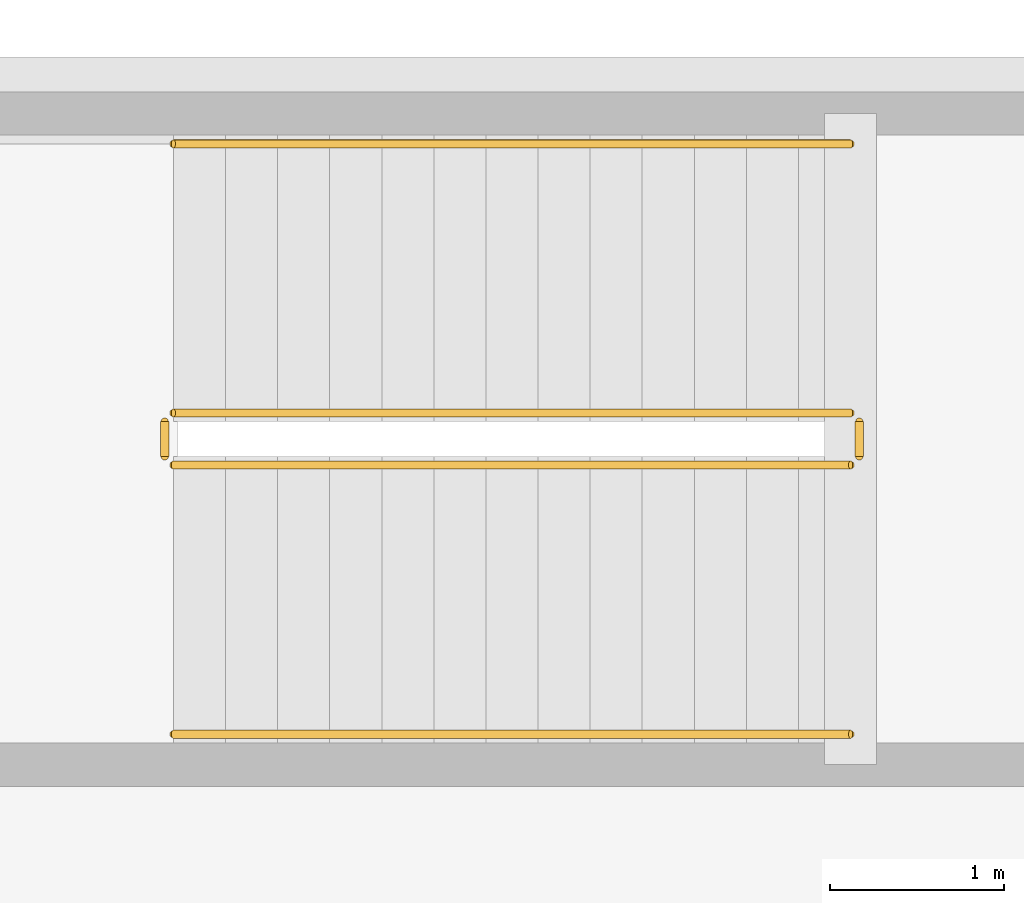
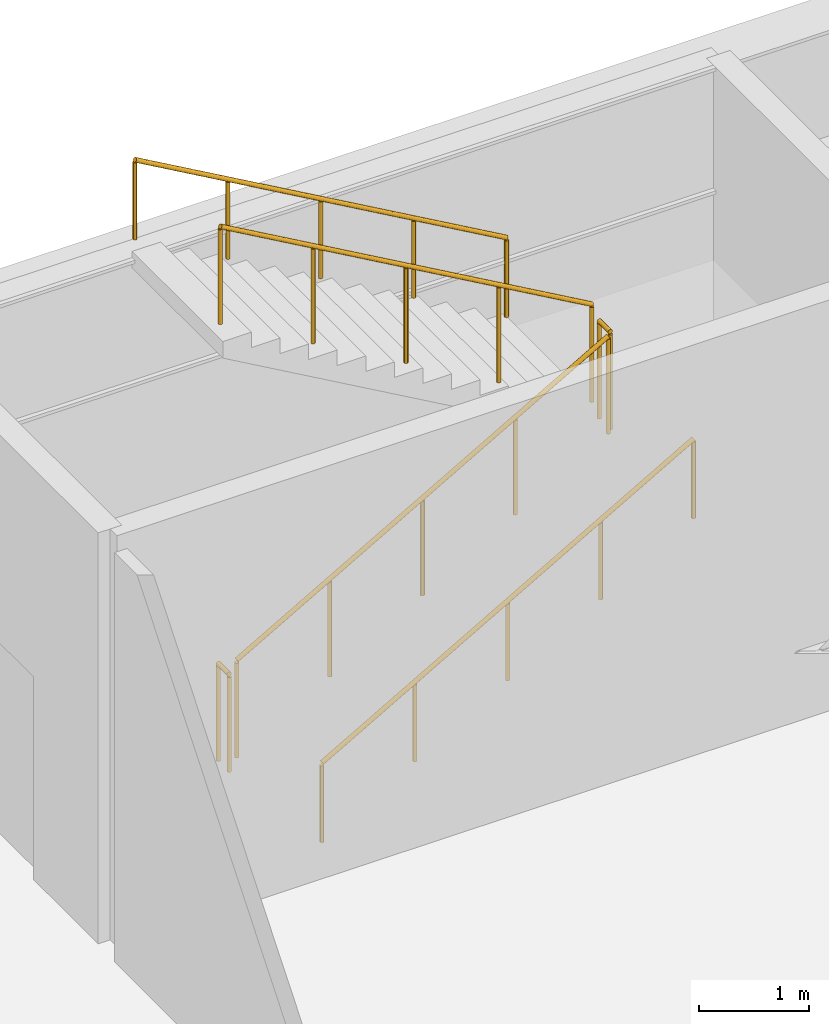
# One storey, part 88 of 93: 6 railings.
"""IFC4 building model written with IfcOpenShell, lengths in metres."""

import ifcopenshell
import ifcopenshell.guid

model = None  # the IFC model being written
_history = None  # IfcOwnerHistory: only IFC2X3 demands one
_inside = {}  # id of a spatial element -> (the spatial element, [elements in it])
_under = {}  # id of a project, library or spatial element -> (it, [spatial elements below it])
_declared = {}  # id of a project -> (the project, [libraries it declares])
_typed = {}  # id of a type object -> (the type object, [elements of that type])
_made_of = {}  # id of a material, layer set ... -> (it, [elements and type objects made of it])


def new_model(schema):
    """Start an empty IFC model of exactly this schema.

    Asked for "IFC4X3", IfcOpenShell would pick the latest addendum, in which some entities
    have other attributes; the version numbers below select the first issue.
    IFC2X3 requires an IfcOwnerHistory on every rooted entity: one is made here for all.
    """
    global model, _history
    if schema == "IFC4X3":
        model = ifcopenshell.file(schema_version=(4, 3, 0, 0))
    else:
        model = ifcopenshell.file(schema=schema)
    _inside.clear()
    _under.clear()
    _declared.clear()
    _typed.clear()
    _made_of.clear()
    _history = None
    if model.schema == "IFC2X3":
        org = make("IfcOrganization", Name="unknown")
        user = make(
            "IfcPersonAndOrganization",
            ThePerson=make("IfcPerson", FamilyName="unknown"),
            TheOrganization=org,
        )
        app = make(
            "IfcApplication",
            ApplicationDeveloper=org,
            Version="unknown",
            ApplicationFullName="unknown",
            ApplicationIdentifier="unknown",
        )
        _history = make(
            "IfcOwnerHistory",
            OwningUser=user,
            OwningApplication=app,
            ChangeAction="ADDED",
            CreationDate=0,
        )
    return model


def make(cls, **values):
    """One entity of the class cls with the attributes given. An attribute that is None is left unset."""
    return model.create_entity(
        cls, **{name: value for name, value in values.items() if value is not None}
    )


def rooted(cls, **values):
    """An entity with a GlobalId (a new one), such as an element, a storey or a relation."""
    return make(cls, GlobalId=ifcopenshell.guid.new(), OwnerHistory=_history, **values)


def si_unit(unit_type, name, prefix=None):
    """IfcSIUnit, for example si_unit("LENGTHUNIT", "METRE", prefix="MILLI")."""
    return make("IfcSIUnit", UnitType=unit_type, Prefix=prefix, Name=name)


def assignment(units):
    """IfcUnitAssignment: the units of a project."""
    return None if units is None else make("IfcUnitAssignment", Units=units)


def point(xyz):
    """IfcCartesianPoint."""
    return None if xyz is None else make("IfcCartesianPoint", Coordinates=xyz)


def direction(xyz):
    """IfcDirection."""
    return None if xyz is None else make("IfcDirection", DirectionRatios=xyz)


def frame(location, z_axis=None, x_axis=None):
    """IfcAxis2Placement3D, a coordinate frame: its origin and axes. An axis left out is left unset."""
    return make(
        "IfcAxis2Placement3D",
        Location=point(location),
        Axis=direction(z_axis),
        RefDirection=direction(x_axis),
    )


def frame_2d(location, x_axis=None):
    """IfcAxis2Placement2D, a coordinate frame in the plane: its origin and x axis."""
    return make(
        "IfcAxis2Placement2D", Location=point(location), RefDirection=direction(x_axis)
    )


def origin():
    """The frame at (0, 0, 0) with its axes left unset."""
    return frame((0.0, 0.0, 0.0))


def origin_2d():
    """The frame at (0, 0) in the plane with its x axis left unset."""
    return frame_2d((0.0, 0.0))


def place(relative_to, where):
    """IfcLocalPlacement: puts the frame where relative to a parent placement (None: the world)."""
    return make(
        "IfcLocalPlacement", PlacementRelTo=relative_to, RelativePlacement=where
    )


def context(
    kind, dimensions, precision=None, world=None, true_north=None, identifier=None
):
    """IfcGeometricRepresentationContext, for example the 3D "Model" context."""
    return make(
        "IfcGeometricRepresentationContext",
        ContextIdentifier=identifier,
        ContextType=kind,
        CoordinateSpaceDimension=dimensions,
        Precision=precision,
        WorldCoordinateSystem=world,
        TrueNorth=true_north,
    )


def subcontext(parent, identifier, kind, view, scale=None):
    """IfcGeometricRepresentationSubContext, for example "Body" below "Model"."""
    return make(
        "IfcGeometricRepresentationSubContext",
        ContextIdentifier=identifier,
        ContextType=kind,
        ParentContext=parent,
        TargetScale=scale,
        TargetView=view,
    )


def project(units=None, contexts=None):
    """IfcProject with its units and contexts."""
    return rooted(
        "IfcProject",
        Name="project",
        RepresentationContexts=contexts,
        UnitsInContext=assignment(units),
    )


def spatial(cls, under=None, at=None, **own):
    """A site, building, storey or space (cls), placed at a placement, below another one or the project."""
    s = rooted(cls, ObjectPlacement=at, **own)
    if under is not None:
        _under.setdefault(under.id(), (under, []))[1].append(s)
    return s


def profile(cls, at=None, kind="AREA", **sizes):
    """A parametric profile (cls). Its sizes go by their IFC names, for example OverallWidth=200.0."""
    return make(cls, ProfileType=kind, Position=at, **sizes)


def circle(**sizes):
    """IfcCircleProfileDef."""
    return profile("IfcCircleProfileDef", **sizes)


def extrude(swept, where, along, depth):
    """IfcExtrudedAreaSolid: the profile swept, set in the frame where, extruded along a direction by depth."""
    return make(
        "IfcExtrudedAreaSolid",
        SweptArea=swept,
        Position=where,
        ExtrudedDirection=direction(along),
        Depth=depth,
    )


def shape(context_of_items, identifier, shape_type, items):
    """IfcShapeRepresentation: the items that make up one representation, for example the "Body"."""
    return make(
        "IfcShapeRepresentation",
        ContextOfItems=context_of_items,
        RepresentationIdentifier=identifier,
        RepresentationType=shape_type,
        Items=items,
    )


def material(Name=None, Category=None):
    """IfcMaterial."""
    return make("IfcMaterial", Name=Name, Category=Category)


def made_of(thing, what):
    """Note that an element or type object is made of a material, layer set ...; save() writes the relation."""
    if what is not None:
        _made_of.setdefault(what.id(), (what, []))[1].append(thing)
    return thing


def type_object(cls, material=None, **own):
    """A type object (cls), such as IfcWallType, which elements share."""
    return made_of(rooted(cls, **own), material)


def element(
    cls,
    number,
    at=None,
    inside=None,
    cuts=None,
    type_object=None,
    material=None,
    context=None,
    identifier="Body",
    shape_type=None,
    held_by="IfcProductDefinitionShape",
    body=None,
    shapes=None,
    **own,
):
    """One element of the class cls, such as IfcWall. Its Tag is "e" and its number.

    at: its placement. inside: the storey or other place that contains it. cuts: it is an
    opening in that element (IfcRelVoidsElement). A single representation is given by context,
    identifier, shape_type and body (its items); several are given by shapes. held_by: the class
    of the entity that holds the representations. save() writes the other relations.
    """
    e = rooted(cls, Tag="e%d" % number, ObjectPlacement=at, **own)
    if body is not None:
        shapes = [shape(context, identifier, shape_type, body)]
    if shapes is not None:
        e.Representation = make(held_by, Representations=shapes)
    if inside is not None:
        _inside.setdefault(inside.id(), (inside, []))[1].append(e)
    if cuts is not None:
        rooted(
            "IfcRelVoidsElement", RelatingBuildingElement=cuts, RelatedOpeningElement=e
        )
    if type_object is not None:
        _typed.setdefault(type_object.id(), (type_object, []))[1].append(e)
    return made_of(e, material)


def aggregate(whole, parts):
    """IfcRelAggregates: a whole, such as a stair, and the parts it consists of."""
    return rooted("IfcRelAggregates", RelatingObject=whole, RelatedObjects=parts)


def save(model, path):
    """Write the relations noted so far, then the file.

    IfcRelAggregates (storeys below a building ...), IfcRelContainedInSpatialStructure (elements
    in a storey), IfcRelDefinesByType, IfcRelAssociatesMaterial and IfcRelDeclares: one each for
    every whole, place, type object, material and project.
    """
    for whole, parts in _under.values():
        aggregate(whole, parts)
    for where, things in _inside.values():
        rooted(
            "IfcRelContainedInSpatialStructure",
            RelatedElements=things,
            RelatingStructure=where,
        )
    for kind, things in _typed.values():
        rooted("IfcRelDefinesByType", RelatedObjects=things, RelatingType=kind)
    for what, things in _made_of.values():
        rooted("IfcRelAssociatesMaterial", RelatedObjects=things, RelatingMaterial=what)
    for by, libraries in _declared.values():
        rooted("IfcRelDeclares", RelatingContext=by, RelatedDefinitions=libraries)
    model.write(path)


model = new_model("IFC4")

# Units and contexts
model_context = context("Model", 3, precision=1e-05, world=origin(), true_north=direction((0.0, 1.0)))
body_context = subcontext(model_context, "Body", "Model", "MODEL_VIEW")
ifc_project = project(units=[si_unit("LENGTHUNIT", "METRE"), si_unit("AREAUNIT", "SQUARE_METRE"), si_unit("VOLUMEUNIT", "CUBIC_METRE"), si_unit("PLANEANGLEUNIT", "RADIAN"), si_unit("MASSUNIT", "GRAM", prefix="KILO")], contexts=[model_context])

# Site, building, storey
site_placement = place(None, origin())
site = spatial("IfcSite", under=ifc_project, at=site_placement, CompositionType="ELEMENT")
building_placement = place(site_placement, origin())
building = spatial("IfcBuilding", under=site, at=building_placement, Name="Kazehara Bluff Congress Hotel", CompositionType="ELEMENT")
storey_placement = place(building_placement, frame((0.0, 0.0, 15.0)))
storey = spatial("IfcBuildingStorey", under=building, at=storey_placement, Name="L03", CompositionType="ELEMENT", Elevation=15.0)

# Railings
ifc_material_1 = material(Name="Brushed stainless steel", Category="steel")
railing_type_1 = type_object("IfcRailingType", Name="TP-GRD-INT", PredefinedType="GUARDRAIL", material=ifc_material_1)
railing_1_placement = place(storey_placement, frame((78.0, 54.35009765625, 0.17138671875)))
element("IfcRailing", 1, at=railing_1_placement, inside=storey, type_object=railing_type_1, Name="L03 ST-09 stair guard 1", PredefinedType="GUARDRAIL", context=body_context, shape_type="SweptSolid", body=[
    extrude(circle(Radius=0.02392578125, at=origin_2d()), frame((0.0, 0.0, 1.076171875), z_axis=(0.868243142124, 0.0, 0.496138938357), x_axis=(0.0, 1.0, 0.0)), (0.0, 0.0, 1.0), 4.49169921875),
    extrude(circle(Radius=0.02099609375, at=origin_2d()), origin(), (0.0, 0.0, 1.0), 1.052001953125),
    extrude(circle(Radius=0.02099609375, at=origin_2d()), frame((0.97509765625, 0.0, 0.55712890625)), (0.0, 0.0, 1.0), 1.052001953125),
    extrude(circle(Radius=0.02099609375, at=origin_2d()), frame((1.949951171875, 0.0, 1.1142578125)), (0.0, 0.0, 1.0), 1.052001953125),
    extrude(circle(Radius=0.02099609375, at=origin_2d()), frame((2.9248046875, 0.0, 1.67138671875)), (0.0, 0.0, 1.0), 1.052001953125),
    extrude(circle(Radius=0.02099609375, at=origin_2d()), frame((3.89990234375, 0.0, 2.228515625)), (0.0, 0.0, 1.0), 1.052001953125),
])
railing_2_placement = place(storey_placement, frame((81.949951171875, 54.39990234375, 2.39990234375)))
element("IfcRailing", 2, at=railing_2_placement, inside=storey, type_object=railing_type_1, Name="L03 ST-09 stair guard 2", PredefinedType="GUARDRAIL", context=body_context, shape_type="SweptSolid", body=[
    extrude(circle(Radius=0.02392578125, at=origin_2d()), frame((0.0, 0.0, 1.076171875), z_axis=(0.0, 1.0, 0.0), x_axis=(-1.0, 0.0, 0.0)), (0.0, 0.0, 1.0), 0.2001953125),
    extrude(circle(Radius=0.02099609375, at=origin_2d()), origin(), (0.0, 0.0, 1.0), 1.052001953125),
    extrude(circle(Radius=0.02099609375, at=origin_2d()), frame((0.0, 0.2001953125, 0.0)), (0.0, 0.0, 1.0), 1.052001953125),
])
railing_3_placement = place(storey_placement, frame((81.89990234375, 54.64990234375, 2.571533203125)))
element("IfcRailing", 3, at=railing_3_placement, inside=storey, type_object=railing_type_1, Name="L03 ST-09 stair guard 3", PredefinedType="GUARDRAIL", context=body_context, shape_type="SweptSolid", body=[
    extrude(circle(Radius=0.02392578125, at=origin_2d()), frame((0.0, 0.0, 1.076171875), z_axis=(-0.868243142124, 0.0, 0.496138938357), x_axis=(0.0, -1.0, 0.0)), (0.0, 0.0, 1.0), 4.49169921875),
    extrude(circle(Radius=0.02099609375, at=origin_2d()), origin(), (0.0, 0.0, 1.0), 1.052001953125),
    extrude(circle(Radius=0.02099609375, at=origin_2d()), frame((-0.97509765625, 0.0, 0.55712890625)), (0.0, 0.0, 1.0), 1.052001953125),
    extrude(circle(Radius=0.02099609375, at=origin_2d()), frame((-1.949951171875, 0.0, 1.1142578125)), (0.0, 0.0, 1.0), 1.052001953125),
    extrude(circle(Radius=0.02099609375, at=origin_2d()), frame((-2.9248046875, 0.0, 1.67138671875)), (0.0, 0.0, 1.0), 1.052001953125),
    extrude(circle(Radius=0.02099609375, at=origin_2d()), frame((-3.89990234375, 0.0, 2.228515625)), (0.0, 0.0, 1.0), 1.052001953125),
])
railing_4_placement = place(storey_placement, frame((77.949951171875, 54.39990234375, 0.0)))
element("IfcRailing", 4, at=railing_4_placement, inside=storey, type_object=railing_type_1, Name="L03 ST-09 stair guard 4", PredefinedType="GUARDRAIL", context=body_context, shape_type="SweptSolid", body=[
    extrude(circle(Radius=0.02392578125, at=origin_2d()), frame((0.0, 0.0, 1.076171875), z_axis=(0.0, 1.0, 0.0), x_axis=(-1.0, 0.0, 0.0)), (0.0, 0.0, 1.0), 0.2001953125),
    extrude(circle(Radius=0.02099609375, at=origin_2d()), origin(), (0.0, 0.0, 1.0), 1.052001953125),
    extrude(circle(Radius=0.02099609375, at=origin_2d()), frame((0.0, 0.2001953125, 0.0)), (0.0, 0.0, 1.0), 1.052001953125),
])
ifc_material_2 = material(Name="Brushed stainless steel", Category="steel")
railing_type_2 = type_object("IfcRailingType", Name="TP-HR-INT", PredefinedType="HANDRAIL", material=ifc_material_2)
railing_5_placement = place(storey_placement, frame((78.0, 52.800048828125, 0.17138671875)))
element("IfcRailing", 5, at=railing_5_placement, inside=storey, type_object=railing_type_2, Name="L03 ST-09 stair handrail 1", PredefinedType="HANDRAIL", context=body_context, shape_type="SweptSolid", body=[
    extrude(circle(Radius=0.02392578125, at=origin_2d()), frame((0.0, 0.0, 0.8759765625), z_axis=(0.868243142124, 0.0, 0.496138938357), x_axis=(0.0, 1.0, 0.0)), (0.0, 0.0, 1.0), 4.49169921875),
    extrude(circle(Radius=0.02099609375, at=origin_2d()), origin(), (0.0, 0.0, 1.0), 0.851806640625),
    extrude(circle(Radius=0.02099609375, at=origin_2d()), frame((0.97509765625, 0.0, 0.55712890625)), (0.0, 0.0, 1.0), 0.851806640625),
    extrude(circle(Radius=0.02099609375, at=origin_2d()), frame((1.949951171875, 0.0, 1.1142578125)), (0.0, 0.0, 1.0), 0.851806640625),
    extrude(circle(Radius=0.02099609375, at=origin_2d()), frame((2.9248046875, 0.0, 1.67138671875)), (0.0, 0.0, 1.0), 0.851806640625),
    extrude(circle(Radius=0.02099609375, at=origin_2d()), frame((3.89990234375, 0.0, 2.228515625)), (0.0, 0.0, 1.0), 0.851806640625),
])
railing_6_placement = place(storey_placement, frame((81.89990234375, 56.199951171875, 2.571533203125)))
element("IfcRailing", 6, at=railing_6_placement, inside=storey, type_object=railing_type_2, Name="L03 ST-09 stair handrail 2", PredefinedType="HANDRAIL", context=body_context, shape_type="SweptSolid", body=[
    extrude(circle(Radius=0.02392578125, at=origin_2d()), frame((0.0, 0.0, 0.8759765625), z_axis=(-0.868243142124, 0.0, 0.496138938357), x_axis=(0.0, -1.0, 0.0)), (0.0, 0.0, 1.0), 4.49169921875),
    extrude(circle(Radius=0.02099609375, at=origin_2d()), origin(), (0.0, 0.0, 1.0), 0.851806640625),
    extrude(circle(Radius=0.02099609375, at=origin_2d()), frame((-0.97509765625, 0.0, 0.55712890625)), (0.0, 0.0, 1.0), 0.851806640625),
    extrude(circle(Radius=0.02099609375, at=origin_2d()), frame((-1.949951171875, 0.0, 1.1142578125)), (0.0, 0.0, 1.0), 0.851806640625),
    extrude(circle(Radius=0.02099609375, at=origin_2d()), frame((-2.9248046875, 0.0, 1.67138671875)), (0.0, 0.0, 1.0), 0.851806640625),
    extrude(circle(Radius=0.02099609375, at=origin_2d()), frame((-3.89990234375, 0.0, 2.228515625)), (0.0, 0.0, 1.0), 0.851806640625),
])

save(model, "model.ifc")
